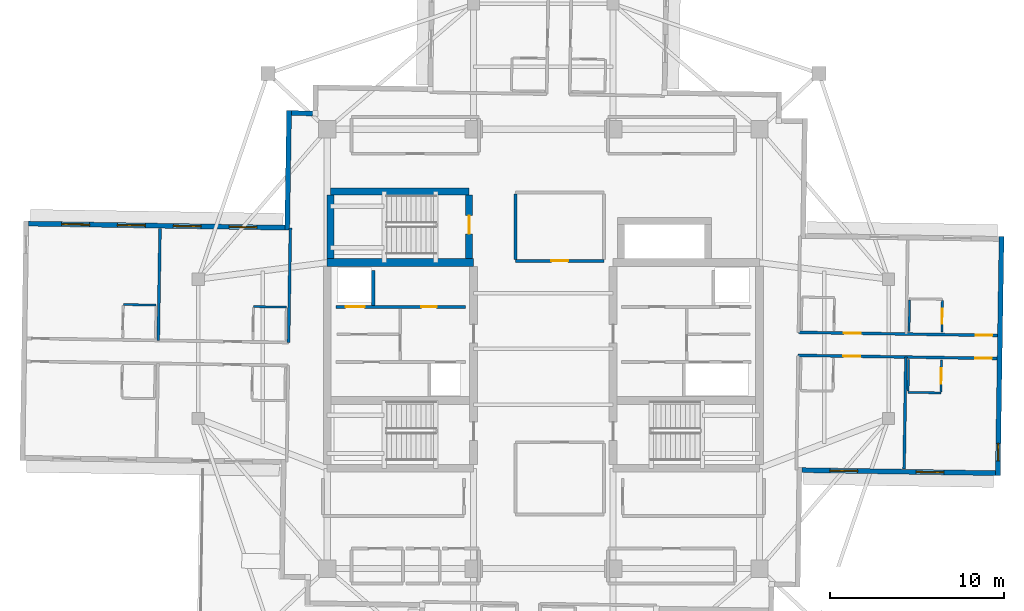
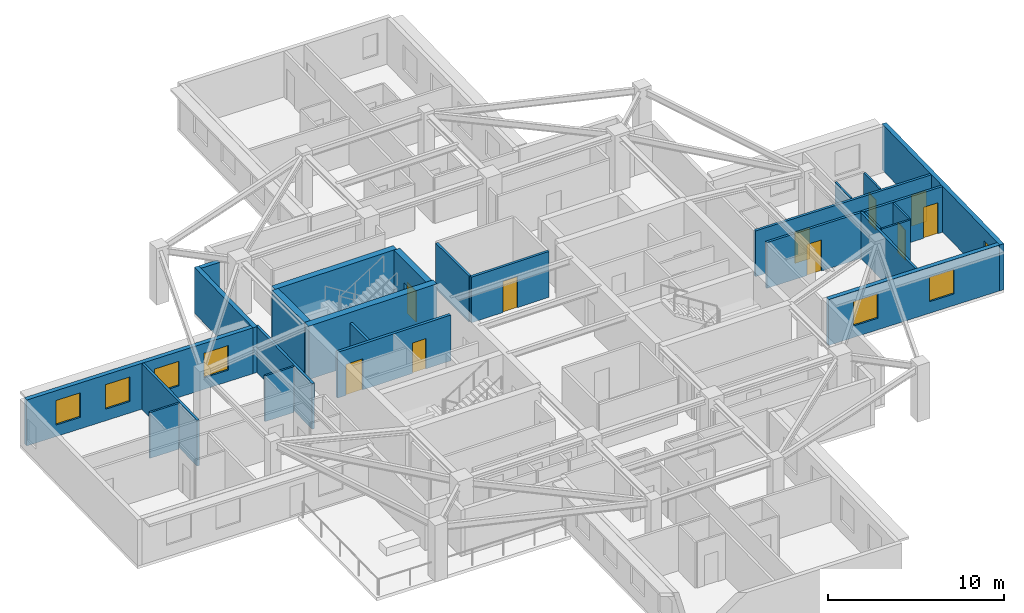
# One storey, part 6 of 12: 25 walls, 10 doors, 7 windows, 17 openings.
"""IFC4 building model written with IfcOpenShell, lengths in metres."""

from ifc_helpers import new_model, si_unit, direction, frame, frame_2d, origin, place, context, subcontext, project, spatial, rectangle, extrude, material, layer, layer_set, type_object, element, fill, save


model = new_model("IFC4")

# Units and contexts
model_context = context("Model", 3, precision=1e-05, world=origin(), true_north=direction((0.0, 1.0)))
body_context = subcontext(model_context, "Body", "Model", "MODEL_VIEW")
ifc_project = project(units=[si_unit("LENGTHUNIT", "METRE"), si_unit("AREAUNIT", "SQUARE_METRE"), si_unit("VOLUMEUNIT", "CUBIC_METRE"), si_unit("PLANEANGLEUNIT", "RADIAN"), si_unit("MASSUNIT", "GRAM", prefix="KILO")], contexts=[model_context])

# Site, building, storey
site_placement = place(None, origin())
site = spatial("IfcSite", under=ifc_project, at=site_placement, CompositionType="ELEMENT")
building_placement = place(site_placement, origin())
building = spatial("IfcBuilding", under=site, at=building_placement, Name="Qingluan Cross Belvedere", CompositionType="ELEMENT")
storey_placement = place(building_placement, frame((0.0, 0.0, 261.60009765625)))
storey = spatial("IfcBuildingStorey", under=building, at=storey_placement, Name="L65", CompositionType="ELEMENT", Elevation=261.60009765625)

# Walls
ifc_material_1 = material(Name="Concrete C50", Category="concrete")
ifc_layer_1 = layer(ifc_material_1, 0.449951171875, Name="CoreShearWall_450")
ifc_layer_set_1 = layer_set([ifc_layer_1], Name="Concrete C50")
wall_type_1 = type_object("IfcWallType", Name="CoreShearWall_450", PredefinedType="SHEAR", material=ifc_layer_set_1)
wall_1_placement = place(storey_placement, frame((-12.39990234375, 4.949951171875, 0.0), z_axis=(0.0, 0.0, 1.0), x_axis=(1.0, 0.0, 0.0)))
element("IfcWall", 1, at=wall_1_placement, inside=storey, type_object=wall_type_1, Name="Split core W shear wall L65-N", PredefinedType="SHEAR", context=body_context, shape_type="SweptSolid", body=[
    extrude(rectangle(XDim=8.39990234375, YDim=0.449951171875, at=frame_2d((4.199951171875, 0.0))), origin(), (0.0, 0.0, 1.0), 3.699951171875),
])
wall_2_placement = place(storey_placement, frame((-12.219970703125, 9.0400390625, 0.0), z_axis=(0.0, 0.0, 1.0), x_axis=(1.0, 0.0, 0.0)))
element("IfcWall", 2, at=wall_2_placement, inside=storey, type_object=wall_type_1, Name="Stair ST3 structural wall N L65", PredefinedType="SHEAR", context=body_context, shape_type="SweptSolid", body=[
    extrude(rectangle(XDim=7.9599609375, YDim=0.39990234375, at=frame_2d((3.97998046875, 0.0))), origin(), (0.0, 0.0, 1.0), 3.699951171875),
])
wall_3_placement = place(storey_placement, frame((-12.219970703125, 5.179931640625, 0.0), z_axis=(0.0, 0.0, 1.0), x_axis=(0.0, 1.0, 0.0)))
element("IfcWall", 3, at=wall_3_placement, inside=storey, type_object=wall_type_1, Name="Stair ST3 structural wall W L65", PredefinedType="SHEAR", context=body_context, shape_type="SweptSolid", body=[
    extrude(rectangle(XDim=3.655029296875, YDim=0.39990234375, at=frame_2d((1.82763671875, 0.0))), origin(), (0.0, 0.0, 1.0), 3.699951171875),
])

# Wall, opening, door
wall_4_placement = place(storey_placement, frame((-4.260009765625, 5.179931640625, 0.0), z_axis=(0.0, 0.0, 1.0), x_axis=(0.0, 1.0, 0.0)))
wall_4 = element("IfcWall", 4, at=wall_4_placement, inside=storey, type_object=wall_type_1, Name="Stair ST3 structural wall E L65", PredefinedType="SHEAR", context=body_context, shape_type="SweptSolid", body=[
    extrude(rectangle(XDim=3.655029296875, YDim=0.39990234375, at=frame_2d((1.82763671875, 0.0))), origin(), (0.0, 0.0, 1.0), 3.699951171875),
])
opening_1_placement = place(wall_4_placement, frame((1.419921875, 0.0, 0.0)))
opening_1 = element("IfcOpeningElement", 5, at=opening_1_placement, cuts=wall_4, Name="Opening FD-B11", PredefinedType="OPENING", context=body_context, shape_type="SweptSolid", body=[
    extrude(rectangle(XDim=1.050048828125, YDim=2.14990234375, at=frame_2d((0.52490234375, 1.074951171875))), frame((0.0, 0.2099609375, 0.0), z_axis=(0.0, -1.0, 0.0), x_axis=(1.0, 0.0, 0.0)), (0.0, 0.0, 1.0), 0.419921875),
])
ifc_material_2 = material(Name="Steel Class B smoke-seal fire door", Category="steel")
door_type_1 = type_object("IfcDoorType", Name="StairLobbyFireDoor_FDB", OperationType="NOTDEFINED", PredefinedType="DOOR", material=ifc_material_2)
door_1_placement = place(opening_1_placement, origin())
door_1 = element("IfcDoor", 6, at=door_1_placement, inside=storey, type_object=door_type_1, Name="Smoke-proof stair ST3 fire door L65", OperationType="SINGLE_SWING_LEFT", OverallHeight=2.14990234375, OverallWidth=1.050048828125, PredefinedType="DOOR", context=body_context, shape_type="SweptSolid", body=[
    extrude(rectangle(XDim=1.050048828125, YDim=2.14990234375, at=frame_2d((0.52490234375, 1.074951171875))), frame((0.0, 0.02490234375, 0.0), z_axis=(0.0, -1.0, 0.0), x_axis=(1.0, 0.0, 0.0)), (0.0, 0.0, 1.0), 0.050048828125),
])
fill(opening_1, door_1)

ifc_material_3 = material(Name="Gypsum plasterboard on steel stud acoustic partition", Category="steel")
ifc_layer_2 = layer(ifc_material_3, 0.159912109375, Name="CorridorPartition_160")
ifc_layer_set_2 = layer_set([ifc_layer_2], Name="Gypsum plasterboard on steel stud acoustic partition")
wall_type_2 = type_object("IfcWallType", Name="CorridorPartition_160", PredefinedType="PARTITIONING", material=ifc_layer_set_2)
wall_5_placement = place(storey_placement, frame((-1.60009765625, 5.050048828125, 0.0), z_axis=(0.0, 0.0, 1.0), x_axis=(1.0, 0.0, 0.0)))
wall_5 = element("IfcWall", 7, at=wall_5_placement, inside=storey, type_object=wall_type_2, Name="Partition L65:sky_tea_alcove:S", PredefinedType="PARTITIONING", context=body_context, shape_type="SweptSolid", body=[
    extrude(rectangle(XDim=5.080078125, YDim=0.159912109375, at=frame_2d((2.5400390625, 0.0))), origin(), (0.0, 0.0, 1.0), 3.169921875),
])
opening_2_placement = place(wall_5_placement, frame((2.06005859375, 0.0, 0.0)))
opening_2 = element("IfcOpeningElement", 8, at=opening_2_placement, cuts=wall_5, Name="Opening GD-10", PredefinedType="OPENING", context=body_context, shape_type="SweptSolid", body=[
    extrude(rectangle(XDim=0.9599609375, YDim=2.14990234375, at=frame_2d((0.47998046875, 1.074951171875))), frame((0.0, 0.08984375, 0.0), z_axis=(0.0, -1.0, 0.0), x_axis=(1.0, 0.0, 0.0)), (0.0, 0.0, 1.0), 0.179931640625),
])
ifc_material_4 = material(Name="Timber oak fire-rated acoustic guestroom door", Category="wood")
door_type_2 = type_object("IfcDoorType", Name="GuestEntryDoor_FD60", OperationType="NOTDEFINED", PredefinedType="DOOR", material=ifc_material_4)
door_2_placement = place(opening_2_placement, origin())
door_2 = element("IfcDoor", 9, at=door_2_placement, inside=storey, type_object=door_type_2, Name="Sky horizon tea salon L65 door", OperationType="SINGLE_SWING_RIGHT", OverallHeight=2.14990234375, OverallWidth=0.9599609375, PredefinedType="DOOR", context=body_context, shape_type="SweptSolid", body=[
    extrude(rectangle(XDim=0.9599609375, YDim=2.14990234375, at=frame_2d((0.47998046875, 1.074951171875))), frame((0.0, 0.02490234375, 0.0), z_axis=(0.0, -1.0, 0.0), x_axis=(1.0, 0.0, 0.0)), (0.0, 0.0, 1.0), 0.050048828125),
])
fill(opening_2, door_2)

# Wall
wall_6_placement = place(storey_placement, frame((-1.60009765625, 5.135009765625, 0.0), z_axis=(0.0, 0.0, 1.0), x_axis=(0.0, 1.0, 0.0)))
element("IfcWall", 10, at=wall_6_placement, inside=storey, type_object=wall_type_2, Name="Partition L65:sky_tea_alcove:W", PredefinedType="PARTITIONING", context=body_context, shape_type="SweptSolid", body=[
    extrude(rectangle(XDim=3.760009765625, YDim=0.159912109375, at=frame_2d((1.8798828125, 0.0))), origin(), (0.0, 0.0, 1.0), 3.169921875),
])

# Wall, openings, doors
wall_7_placement = place(storey_placement, frame((14.63671875, 0.9501953125, 0.0), z_axis=(0.0, 0.0, 1.0), x_axis=(0.999876706111, -0.015702629601, 0.0)))
wall_7 = element("IfcWall", 11, at=wall_7_placement, inside=storey, type_object=wall_type_2, Name="Partition L65:E:c0", PredefinedType="PARTITIONING", context=body_context, shape_type="SweptSolid", body=[
    extrude(rectangle(XDim=11.412109375, YDim=0.159912109375, at=frame_2d((5.7060546875, 0.0))), origin(), (0.0, 0.0, 1.0), 3.169921875),
])
opening_3_placement = place(wall_7_placement, frame((2.597900390625, 0.0, 0.0)))
opening_3 = element("IfcOpeningElement", 12, at=opening_3_placement, cuts=wall_7, Name="Opening GD-10", PredefinedType="OPENING", context=body_context, shape_type="SweptSolid", body=[
    extrude(rectangle(XDim=0.9599609375, YDim=2.14990234375, at=frame_2d((0.47998046875, 1.074951171875))), frame((0.0, 0.08984375, 0.0), z_axis=(0.0, -1.0, 0.0), x_axis=(1.0, 0.0, 0.0)), (0.0, 0.0, 1.0), 0.179931640625),
])
opening_4_placement = place(wall_7_placement, frame((10.159912109375, 0.0, 0.0)))
opening_4 = element("IfcOpeningElement", 13, at=opening_4_placement, cuts=wall_7, Name="Opening GD-10", PredefinedType="OPENING", context=body_context, shape_type="SweptSolid", body=[
    extrude(rectangle(XDim=0.9599609375, YDim=2.14990234375, at=frame_2d((0.47998046875, 1.074951171875))), frame((0.0, 0.08984375, 0.0), z_axis=(0.0, -1.0, 0.0), x_axis=(1.0, 0.0, 0.0)), (0.0, 0.0, 1.0), 0.179931640625),
])
door_3_placement = place(opening_3_placement, origin())
door_3 = element("IfcDoor", 14, at=door_3_placement, inside=storey, type_object=door_type_2, Name="Guest entry fire door 6501", OperationType="SINGLE_SWING_RIGHT", OverallHeight=2.14990234375, OverallWidth=0.9599609375, PredefinedType="DOOR", context=body_context, shape_type="SweptSolid", body=[
    extrude(rectangle(XDim=0.9599609375, YDim=2.14990234375, at=frame_2d((0.47998046875, 1.074951171875))), frame((0.0, 0.02490234375, 0.0), z_axis=(0.0, -1.0, 0.0), x_axis=(1.0, 0.0, 0.0)), (0.0, 0.0, 1.0), 0.050048828125),
])
fill(opening_3, door_3)
door_4_placement = place(opening_4_placement, origin())
door_4 = element("IfcDoor", 15, at=door_4_placement, inside=storey, type_object=door_type_2, Name="Guest entry fire door 6502", OperationType="SINGLE_SWING_RIGHT", OverallHeight=2.14990234375, OverallWidth=0.9599609375, PredefinedType="DOOR", context=body_context, shape_type="SweptSolid", body=[
    extrude(rectangle(XDim=0.9599609375, YDim=2.14990234375, at=frame_2d((0.47998046875, 1.074951171875))), frame((0.0, 0.02490234375, 0.0), z_axis=(0.0, -1.0, 0.0), x_axis=(1.0, 0.0, 0.0)), (0.0, 0.0, 1.0), 0.050048828125),
])
fill(opening_4, door_4)

wall_8_placement = place(storey_placement, frame((14.615966796875, -0.36962890625, 0.0), z_axis=(0.0, 0.0, 1.0), x_axis=(0.999876706111, -0.015702629601, 0.0)))
wall_8 = element("IfcWall", 16, at=wall_8_placement, inside=storey, type_object=wall_type_2, Name="Partition L65:E:c1", PredefinedType="PARTITIONING", context=body_context, shape_type="SweptSolid", body=[
    extrude(rectangle(XDim=11.412109375, YDim=0.159912109375, at=frame_2d((5.7060546875, 0.0))), origin(), (0.0, 0.0, 1.0), 3.169921875),
])
opening_5_placement = place(wall_8_placement, frame((2.597900390625, 0.0, 0.0)))
opening_5 = element("IfcOpeningElement", 17, at=opening_5_placement, cuts=wall_8, Name="Opening GD-10", PredefinedType="OPENING", context=body_context, shape_type="SweptSolid", body=[
    extrude(rectangle(XDim=0.9599609375, YDim=2.14990234375, at=frame_2d((0.47998046875, 1.074951171875))), frame((0.0, 0.08984375, 0.0), z_axis=(0.0, -1.0, 0.0), x_axis=(1.0, 0.0, 0.0)), (0.0, 0.0, 1.0), 0.179931640625),
])
opening_6_placement = place(wall_8_placement, frame((10.159912109375, 0.0, 0.0)))
opening_6 = element("IfcOpeningElement", 18, at=opening_6_placement, cuts=wall_8, Name="Opening GD-10", PredefinedType="OPENING", context=body_context, shape_type="SweptSolid", body=[
    extrude(rectangle(XDim=0.9599609375, YDim=2.14990234375, at=frame_2d((0.47998046875, 1.074951171875))), frame((0.0, 0.08984375, 0.0), z_axis=(0.0, -1.0, 0.0), x_axis=(1.0, 0.0, 0.0)), (0.0, 0.0, 1.0), 0.179931640625),
])
door_5_placement = place(opening_5_placement, origin())
door_5 = element("IfcDoor", 19, at=door_5_placement, inside=storey, type_object=door_type_2, Name="Guest entry fire door 6503", OperationType="SINGLE_SWING_RIGHT", OverallHeight=2.14990234375, OverallWidth=0.9599609375, PredefinedType="DOOR", context=body_context, shape_type="SweptSolid", body=[
    extrude(rectangle(XDim=0.9599609375, YDim=2.14990234375, at=frame_2d((0.47998046875, 1.074951171875))), frame((0.0, 0.02490234375, 0.0), z_axis=(0.0, -1.0, 0.0), x_axis=(1.0, 0.0, 0.0)), (0.0, 0.0, 1.0), 0.050048828125),
])
fill(opening_5, door_5)
door_6_placement = place(opening_6_placement, origin())
door_6 = element("IfcDoor", 20, at=door_6_placement, inside=storey, type_object=door_type_2, Name="Guest entry fire door 6504", OperationType="SINGLE_SWING_RIGHT", OverallHeight=2.14990234375, OverallWidth=0.9599609375, PredefinedType="DOOR", context=body_context, shape_type="SweptSolid", body=[
    extrude(rectangle(XDim=0.9599609375, YDim=2.14990234375, at=frame_2d((0.47998046875, 1.074951171875))), frame((0.0, 0.02490234375, 0.0), z_axis=(0.0, -1.0, 0.0), x_axis=(1.0, 0.0, 0.0)), (0.0, 0.0, 1.0), 0.050048828125),
])
fill(opening_6, door_6)

# Walls
wall_9_placement = place(storey_placement, frame((20.795166015625, -0.466796875, 0.0), z_axis=(0.0, 0.0, 1.0), x_axis=(-0.015714405882, -0.9998765211, 0.0)))
element("IfcWall", 21, at=wall_9_placement, inside=storey, type_object=wall_type_2, Name="Partition L65:E:d1_0", PredefinedType="PARTITIONING", context=body_context, shape_type="SweptSolid", body=[
    extrude(rectangle(XDim=6.431884765625, YDim=0.159912109375, at=frame_2d((3.2158203125, 0.0))), origin(), (0.0, 0.0, 1.0), 3.169921875),
])
wall_10_placement = place(storey_placement, frame((-14.615966796875, 0.36962890625, 0.0), z_axis=(0.0, 0.0, 1.0), x_axis=(0.015694964287, 0.999876826462, 0.0)))
element("IfcWall", 22, at=wall_10_placement, inside=storey, type_object=wall_type_2, Name="Partition L65:W:s0", PredefinedType="PARTITIONING", context=body_context, shape_type="SweptSolid", body=[
    extrude(rectangle(XDim=6.579833984375, YDim=0.159912109375, at=frame_2d((3.2900390625, 0.0))), origin(), (0.0, 0.0, 1.0), 3.169921875),
])
wall_11_placement = place(storey_placement, frame((-22.092041015625, 0.487060546875, 0.0), z_axis=(0.0, 0.0, 1.0), x_axis=(0.015714405882, 0.9998765211, 0.0)))
element("IfcWall", 23, at=wall_11_placement, inside=storey, type_object=wall_type_2, Name="Partition L65:W:d0_0", PredefinedType="PARTITIONING", context=body_context, shape_type="SweptSolid", body=[
    extrude(rectangle(XDim=6.431884765625, YDim=0.159912109375, at=frame_2d((3.2158203125, 0.0))), origin(), (0.0, 0.0, 1.0), 3.169921875),
])

# Wall, opening, door
ifc_material_5 = material(Name="Moisture-resistant gypsum board lining")
ifc_layer_3 = layer(ifc_material_5, 0.1201171875, Name="EnsuiteWetPartition_120")
ifc_layer_set_3 = layer_set([ifc_layer_3], Name="Moisture-resistant gypsum board lining")
wall_type_3 = type_object("IfcWallType", Name="EnsuiteWetPartition_120", PredefinedType="PARTITIONING", material=ifc_layer_set_3)
wall_12_placement = place(storey_placement, frame((22.85791015625, 0.961181640625, 0.0), z_axis=(0.0, 0.0, 1.0), x_axis=(0.015694337248, 0.999876836305, 0.0)))
wall_12 = element("IfcWall", 24, at=wall_12_placement, inside=storey, type_object=wall_type_3, Name="Partition L65:E:bs0_1", PredefinedType="PARTITIONING", context=body_context, shape_type="SweptSolid", body=[
    extrude(rectangle(XDim=1.820068359375, YDim=0.1201171875, at=frame_2d((0.91015625, 0.0))), origin(), (0.0, 0.0, 1.0), 3.169921875),
])
opening_7_placement = place(wall_12_placement, frame((0.469970703125, 0.0, 0.0)))
opening_7 = element("IfcOpeningElement", 25, at=opening_7_placement, cuts=wall_12, Name="Opening BD-09", PredefinedType="OPENING", context=body_context, shape_type="SweptSolid", body=[
    extrude(rectangle(XDim=0.8798828125, YDim=2.10009765625, at=frame_2d((0.43994140625, 1.050048828125))), frame((0.0, 0.070068359375, 0.0), z_axis=(0.0, -1.0, 0.0), x_axis=(1.0, 0.0, 0.0)), (0.0, 0.0, 1.0), 0.14013671875),
])
ifc_material_6 = material(Name="Moisture-sealed timber en-suite door", Category="wood")
door_type_3 = type_object("IfcDoorType", Name="BathroomDoor_880", OperationType="NOTDEFINED", PredefinedType="DOOR", material=ifc_material_6)
door_7_placement = place(opening_7_placement, origin())
door_7 = element("IfcDoor", 26, at=door_7_placement, inside=storey, type_object=door_type_3, Name="Bathroom door 6502", OperationType="SINGLE_SWING_LEFT", OverallHeight=2.10009765625, OverallWidth=0.8798828125, PredefinedType="DOOR", context=body_context, shape_type="SweptSolid", body=[
    extrude(rectangle(XDim=0.8798828125, YDim=2.10009765625, at=frame_2d((0.43994140625, 1.050048828125))), frame((0.0, 0.02490234375, 0.0), z_axis=(0.0, -1.0, 0.0), x_axis=(1.0, 0.0, 0.0)), (0.0, 0.0, 1.0), 0.050048828125),
])
fill(opening_7, door_7)

# Wall
wall_13_placement = place(storey_placement, frame((20.97802734375, 0.990478515625, 0.0), z_axis=(0.0, 0.0, 1.0), x_axis=(0.015694337248, 0.999876836305, 0.0)))
element("IfcWall", 27, at=wall_13_placement, inside=storey, type_object=wall_type_3, Name="Partition L65:E:bw0_1", PredefinedType="PARTITIONING", context=body_context, shape_type="SweptSolid", body=[
    extrude(rectangle(XDim=1.820068359375, YDim=0.1201171875, at=frame_2d((0.91015625, 0.0))), origin(), (0.0, 0.0, 1.0), 3.169921875),
])

# Wall, opening, door
wall_14_placement = place(storey_placement, frame((22.80419921875, -2.45849609375, 0.0), z_axis=(0.0, 0.0, 1.0), x_axis=(0.015694337248, 0.999876836305, 0.0)))
wall_14 = element("IfcWall", 28, at=wall_14_placement, inside=storey, type_object=wall_type_3, Name="Partition L65:E:bs1_1", PredefinedType="PARTITIONING", context=body_context, shape_type="SweptSolid", body=[
    extrude(rectangle(XDim=1.820068359375, YDim=0.1201171875, at=frame_2d((0.91015625, 0.0))), origin(), (0.0, 0.0, 1.0), 3.169921875),
])
opening_8_placement = place(wall_14_placement, frame((0.469970703125, 0.0, 0.0)))
opening_8 = element("IfcOpeningElement", 29, at=opening_8_placement, cuts=wall_14, Name="Opening BD-09", PredefinedType="OPENING", context=body_context, shape_type="SweptSolid", body=[
    extrude(rectangle(XDim=0.8798828125, YDim=2.10009765625, at=frame_2d((0.43994140625, 1.050048828125))), frame((0.0, 0.070068359375, 0.0), z_axis=(0.0, -1.0, 0.0), x_axis=(1.0, 0.0, 0.0)), (0.0, 0.0, 1.0), 0.14013671875),
])
door_8_placement = place(opening_8_placement, origin())
door_8 = element("IfcDoor", 30, at=door_8_placement, inside=storey, type_object=door_type_3, Name="Bathroom door 6504", OperationType="SINGLE_SWING_LEFT", OverallHeight=2.10009765625, OverallWidth=0.8798828125, PredefinedType="DOOR", context=body_context, shape_type="SweptSolid", body=[
    extrude(rectangle(XDim=0.8798828125, YDim=2.10009765625, at=frame_2d((0.43994140625, 1.050048828125))), frame((0.0, 0.02490234375, 0.0), z_axis=(0.0, -1.0, 0.0), x_axis=(1.0, 0.0, 0.0)), (0.0, 0.0, 1.0), 0.050048828125),
])
fill(opening_8, door_8)

# Walls
wall_15_placement = place(storey_placement, frame((20.92431640625, -2.428955078125, 0.0), z_axis=(0.0, 0.0, 1.0), x_axis=(0.015694337248, 0.999876836305, 0.0)))
element("IfcWall", 31, at=wall_15_placement, inside=storey, type_object=wall_type_3, Name="Partition L65:E:bw1_1", PredefinedType="PARTITIONING", context=body_context, shape_type="SweptSolid", body=[
    extrude(rectangle(XDim=1.820068359375, YDim=0.1201171875, at=frame_2d((0.91015625, 0.0))), origin(), (0.0, 0.0, 1.0), 3.169921875),
])
wall_16_placement = place(storey_placement, frame((20.92333984375, -2.493896484375, 0.0), z_axis=(0.0, 0.0, 1.0), x_axis=(0.999876553475, -0.01571234584, 0.0)))
element("IfcWall", 32, at=wall_16_placement, inside=storey, type_object=wall_type_3, Name="Partition L65:E:bc1_1", PredefinedType="PARTITIONING", context=body_context, shape_type="SweptSolid", body=[
    extrude(rectangle(XDim=1.880126953125, YDim=0.1201171875, at=frame_2d((0.93994140625, 0.0))), origin(), (0.0, 0.0, 1.0), 3.169921875),
])
wall_17_placement = place(storey_placement, frame((-14.744140625, 2.39697265625, 0.0), z_axis=(0.0, 0.0, 1.0), x_axis=(-0.99987652141, 0.015714386166, 0.0)))
element("IfcWall", 33, at=wall_17_placement, inside=storey, type_object=wall_type_3, Name="Partition L65:W:bn0_0", PredefinedType="PARTITIONING", context=body_context, shape_type="SweptSolid", body=[
    extrude(rectangle(XDim=1.8798828125, YDim=0.1201171875, at=frame_2d((0.93994140625, 0.0))), origin(), (0.0, 0.0, 1.0), 3.169921875),
])
wall_18_placement = place(storey_placement, frame((-22.22021484375, 2.514404296875, 0.0), z_axis=(0.0, 0.0, 1.0), x_axis=(-0.999876553475, 0.01571234584, 0.0)))
element("IfcWall", 34, at=wall_18_placement, inside=storey, type_object=wall_type_3, Name="Partition L65:W:bn0_1", PredefinedType="PARTITIONING", context=body_context, shape_type="SweptSolid", body=[
    extrude(rectangle(XDim=1.880126953125, YDim=0.1201171875, at=frame_2d((0.93994140625, 0.0))), origin(), (0.0, 0.0, 1.0), 3.169921875),
])

# Wall, openings, windows
ifc_material_7 = material(Name="Precast concrete C45", Category="concrete")
ifc_layer_4 = layer(ifc_material_7, 0.280029296875, Name="PrecastFacadeWall_280")
ifc_layer_set_4 = layer_set([ifc_layer_4], Name="Precast concrete C45")
wall_type_4 = type_object("IfcWallType", Name="PrecastFacadeWall_280", PredefinedType="STANDARD", material=ifc_layer_set_4)
wall_19_placement = place(storey_placement, frame((14.83251953125, -6.953857421875, 0.0), z_axis=(0.0, 0.0, 1.0), x_axis=(0.999876681786, -0.015704178416, 0.0)))
wall_19 = element("IfcWall", 35, at=wall_19_placement, inside=storey, type_object=wall_type_4, Name="Facade wall L65-EA", PredefinedType="STANDARD", context=body_context, shape_type="SweptSolid", body=[
    extrude(rectangle(XDim=11.10009765625, YDim=0.280029296875, at=frame_2d((5.550048828125, 0.0))), origin(), (0.0, 0.0, 1.0), 3.179931640625),
])
opening_9_placement = place(wall_19_placement, frame((1.60009765625, 0.0, 0.800048828125)))
opening_9 = element("IfcOpeningElement", 36, at=opening_9_placement, cuts=wall_19, Name="Opening W-04", PredefinedType="OPENING", context=body_context, shape_type="SweptSolid", body=[
    extrude(rectangle(XDim=1.60009765625, YDim=1.699951171875, at=frame_2d((0.800048828125, 0.85009765625))), frame((0.0, 0.14990234375, 0.0), z_axis=(0.0, -1.0, 0.0), x_axis=(1.0, 0.0, 0.0)), (0.0, 0.0, 1.0), 0.300048828125),
])
opening_10_placement = place(wall_19_placement, frame((6.550048828125, 0.0, 0.800048828125)))
opening_10 = element("IfcOpeningElement", 37, at=opening_10_placement, cuts=wall_19, Name="Opening W-04", PredefinedType="OPENING", context=body_context, shape_type="SweptSolid", body=[
    extrude(rectangle(XDim=1.60009765625, YDim=1.699951171875, at=frame_2d((0.800048828125, 0.85009765625))), frame((0.0, 0.14990234375, 0.0), z_axis=(0.0, -1.0, 0.0), x_axis=(1.0, 0.0, 0.0)), (0.0, 0.0, 1.0), 0.300048828125),
])
ifc_material_8 = material(Name="Thermally broken triple Low-E glass in aluminium frame", Category="aluminium")
window_type_1 = type_object("IfcWindowType", Name="SuiteCornerWin_1600x1700", PartitioningType="SINGLE_PANEL", PredefinedType="WINDOW", material=ifc_material_8)
window_1_placement = place(opening_9_placement, origin())
window_1 = element("IfcWindow", 38, at=window_1_placement, inside=storey, type_object=window_type_1, Name="Ribbon window L65-EA-1", OverallHeight=1.699951171875, OverallWidth=1.60009765625, PartitioningType="SINGLE_PANEL", PredefinedType="WINDOW", context=body_context, shape_type="SweptSolid", body=[
    extrude(rectangle(XDim=1.60009765625, YDim=1.699951171875, at=frame_2d((0.800048828125, 0.85009765625))), frame((0.0, 0.030029296875, 0.0), z_axis=(0.0, -1.0, 0.0), x_axis=(1.0, 0.0, 0.0)), (0.0, 0.0, 1.0), 0.06005859375),
])
fill(opening_9, window_1)
window_2_placement = place(opening_10_placement, origin())
window_2 = element("IfcWindow", 39, at=window_2_placement, inside=storey, type_object=window_type_1, Name="Ribbon window L65-EA-2", OverallHeight=1.699951171875, OverallWidth=1.60009765625, PartitioningType="SINGLE_PANEL", PredefinedType="WINDOW", context=body_context, shape_type="SweptSolid", body=[
    extrude(rectangle(XDim=1.60009765625, YDim=1.699951171875, at=frame_2d((0.800048828125, 0.85009765625))), frame((0.0, 0.030029296875, 0.0), z_axis=(0.0, -1.0, 0.0), x_axis=(1.0, 0.0, 0.0)), (0.0, 0.0, 1.0), 0.06005859375),
])
fill(opening_10, window_2)

# Wall, opening, window
wall_20_placement = place(storey_placement, frame((26.069091796875, -7.2705078125, 0.0), z_axis=(0.0, 0.0, 1.0), x_axis=(0.015694530564, 0.99987683327, 0.0)))
wall_20 = element("IfcWall", 40, at=wall_20_placement, inside=storey, type_object=wall_type_4, Name="Arm tip precast facade wall L65-E", PredefinedType="STANDARD", context=body_context, shape_type="SweptSolid", body=[
    extrude(rectangle(XDim=13.72021484375, YDim=0.280029296875, at=frame_2d((6.860107421875, 0.0))), origin(), (0.0, 0.0, 1.0), 3.179931640625),
])
opening_11_placement = place(wall_20_placement, frame((0.85009765625, 0.0, 0.85009765625)))
opening_11 = element("IfcOpeningElement", 41, at=opening_11_placement, cuts=wall_20, Name="Opening W-03", PredefinedType="OPENING", context=body_context, shape_type="SweptSolid", body=[
    extrude(rectangle(XDim=1.0, YDim=1.5, at=frame_2d((0.5, 0.75))), frame((0.0, 0.14990234375, 0.0), z_axis=(0.0, -1.0, 0.0), x_axis=(1.0, 0.0, 0.0)), (0.0, 0.0, 1.0), 0.300048828125),
])
ifc_material_9 = material(Name="Thermally broken triple Low-E glass in aluminium frame", Category="aluminium")
window_type_2 = type_object("IfcWindowType", Name="TriApexWin_1000x1500", PartitioningType="SINGLE_PANEL", PredefinedType="WINDOW", material=ifc_material_9)
window_3_placement = place(opening_11_placement, origin())
window_3 = element("IfcWindow", 42, at=window_3_placement, inside=storey, type_object=window_type_2, Name="Arm tip triangular window L65-E", OverallHeight=1.5, OverallWidth=1.0, PartitioningType="SINGLE_PANEL", PredefinedType="WINDOW", context=body_context, shape_type="SweptSolid", body=[
    extrude(rectangle(XDim=1.0, YDim=1.5, at=frame_2d((0.5, 0.75))), frame((0.0, 0.030029296875, 0.0), z_axis=(0.0, -1.0, 0.0), x_axis=(1.0, 0.0, 0.0)), (0.0, 0.0, 1.0), 0.06005859375),
])
fill(opening_11, window_3)

# Wall, openings, windows
wall_21_placement = place(storey_placement, frame((-14.83251953125, 6.953857421875, 0.0), z_axis=(0.0, 0.0, 1.0), x_axis=(-0.999876569875, 0.015711302158, 0.0)))
wall_21 = element("IfcWall", 43, at=wall_21_placement, inside=storey, type_object=wall_type_4, Name="Facade wall L65-WA", PredefinedType="STANDARD", context=body_context, shape_type="SweptSolid", body=[
    extrude(rectangle(XDim=14.699951171875, YDim=0.280029296875, at=frame_2d((7.35009765625, 0.0))), origin(), (0.0, 0.0, 1.0), 3.179931640625),
])
opening_12_placement = place(wall_21_placement, frame((1.60009765625, 0.0, 0.800048828125)))
opening_12 = element("IfcOpeningElement", 44, at=opening_12_placement, cuts=wall_21, Name="Opening W-04", PredefinedType="OPENING", context=body_context, shape_type="SweptSolid", body=[
    extrude(rectangle(XDim=1.60009765625, YDim=1.699951171875, at=frame_2d((0.800048828125, 0.85009765625))), frame((0.0, 0.14990234375, 0.0), z_axis=(0.0, -1.0, 0.0), x_axis=(1.0, 0.0, 0.0)), (0.0, 0.0, 1.0), 0.300048828125),
])
opening_13_placement = place(wall_21_placement, frame((4.800048828125, 0.0, 0.800048828125)))
opening_13 = element("IfcOpeningElement", 45, at=opening_13_placement, cuts=wall_21, Name="Opening W-04", PredefinedType="OPENING", context=body_context, shape_type="SweptSolid", body=[
    extrude(rectangle(XDim=1.60009765625, YDim=1.699951171875, at=frame_2d((0.800048828125, 0.85009765625))), frame((0.0, 0.14990234375, 0.0), z_axis=(0.0, -1.0, 0.0), x_axis=(1.0, 0.0, 0.0)), (0.0, 0.0, 1.0), 0.300048828125),
])
opening_14_placement = place(wall_21_placement, frame((8.0, 0.0, 0.800048828125)))
opening_14 = element("IfcOpeningElement", 46, at=opening_14_placement, cuts=wall_21, Name="Opening W-04", PredefinedType="OPENING", context=body_context, shape_type="SweptSolid", body=[
    extrude(rectangle(XDim=1.60009765625, YDim=1.699951171875, at=frame_2d((0.800048828125, 0.85009765625))), frame((0.0, 0.14990234375, 0.0), z_axis=(0.0, -1.0, 0.0), x_axis=(1.0, 0.0, 0.0)), (0.0, 0.0, 1.0), 0.300048828125),
])
opening_15_placement = place(wall_21_placement, frame((11.199951171875, 0.0, 0.800048828125)))
opening_15 = element("IfcOpeningElement", 47, at=opening_15_placement, cuts=wall_21, Name="Opening W-04", PredefinedType="OPENING", context=body_context, shape_type="SweptSolid", body=[
    extrude(rectangle(XDim=1.60009765625, YDim=1.699951171875, at=frame_2d((0.800048828125, 0.85009765625))), frame((0.0, 0.14990234375, 0.0), z_axis=(0.0, -1.0, 0.0), x_axis=(1.0, 0.0, 0.0)), (0.0, 0.0, 1.0), 0.300048828125),
])
window_4_placement = place(opening_12_placement, origin())
window_4 = element("IfcWindow", 48, at=window_4_placement, inside=storey, type_object=window_type_1, Name="Ribbon window L65-WA-1", OverallHeight=1.699951171875, OverallWidth=1.60009765625, PartitioningType="SINGLE_PANEL", PredefinedType="WINDOW", context=body_context, shape_type="SweptSolid", body=[
    extrude(rectangle(XDim=1.60009765625, YDim=1.699951171875, at=frame_2d((0.800048828125, 0.85009765625))), frame((0.0, 0.030029296875, 0.0), z_axis=(0.0, -1.0, 0.0), x_axis=(1.0, 0.0, 0.0)), (0.0, 0.0, 1.0), 0.06005859375),
])
fill(opening_12, window_4)
window_5_placement = place(opening_13_placement, origin())
window_5 = element("IfcWindow", 49, at=window_5_placement, inside=storey, type_object=window_type_1, Name="Ribbon window L65-WA-2", OverallHeight=1.699951171875, OverallWidth=1.60009765625, PartitioningType="SINGLE_PANEL", PredefinedType="WINDOW", context=body_context, shape_type="SweptSolid", body=[
    extrude(rectangle(XDim=1.60009765625, YDim=1.699951171875, at=frame_2d((0.800048828125, 0.85009765625))), frame((0.0, 0.030029296875, 0.0), z_axis=(0.0, -1.0, 0.0), x_axis=(1.0, 0.0, 0.0)), (0.0, 0.0, 1.0), 0.06005859375),
])
fill(opening_13, window_5)
window_6_placement = place(opening_14_placement, origin())
window_6 = element("IfcWindow", 50, at=window_6_placement, inside=storey, type_object=window_type_1, Name="Ribbon window L65-WA-3", OverallHeight=1.699951171875, OverallWidth=1.60009765625, PartitioningType="SINGLE_PANEL", PredefinedType="WINDOW", context=body_context, shape_type="SweptSolid", body=[
    extrude(rectangle(XDim=1.60009765625, YDim=1.699951171875, at=frame_2d((0.800048828125, 0.85009765625))), frame((0.0, 0.030029296875, 0.0), z_axis=(0.0, -1.0, 0.0), x_axis=(1.0, 0.0, 0.0)), (0.0, 0.0, 1.0), 0.06005859375),
])
fill(opening_14, window_6)
window_7_placement = place(opening_15_placement, origin())
window_7 = element("IfcWindow", 51, at=window_7_placement, inside=storey, type_object=window_type_1, Name="Ribbon window L65-WA-4", OverallHeight=1.699951171875, OverallWidth=1.60009765625, PartitioningType="SINGLE_PANEL", PredefinedType="WINDOW", context=body_context, shape_type="SweptSolid", body=[
    extrude(rectangle(XDim=1.60009765625, YDim=1.699951171875, at=frame_2d((0.800048828125, 0.85009765625))), frame((0.0, 0.030029296875, 0.0), z_axis=(0.0, -1.0, 0.0), x_axis=(1.0, 0.0, 0.0)), (0.0, 0.0, 1.0), 0.06005859375),
])
fill(opening_15, window_7)

# Walls
wall_22_placement = place(storey_placement, frame((-14.69482421875, 6.811767578125, 0.0), z_axis=(0.0, 0.0, 1.0), x_axis=(0.015694809807, 0.999876828887, 0.0)))
element("IfcWall", 52, at=wall_22_placement, inside=storey, type_object=wall_type_4, Name="Corner wall L65-NW1", PredefinedType="STANDARD", context=body_context, shape_type="SweptSolid", body=[
    extrude(rectangle(XDim=6.85986328125, YDim=0.280029296875, at=frame_2d((3.429931640625, 0.0))), origin(), (0.0, 0.0, 1.0), 3.179931640625),
])
wall_23_placement = place(storey_placement, frame((-14.44921875, 13.528564453125, 0.0), z_axis=(0.0, 0.0, 1.0), x_axis=(0.999878147354, -0.015610587569, 0.0)))
element("IfcWall", 53, at=wall_23_placement, inside=storey, type_object=wall_type_4, Name="Corner wall L65-NW2", PredefinedType="STANDARD", context=body_context, shape_type="SweptSolid", body=[
    extrude(rectangle(XDim=1.219970703125, YDim=0.280029296875, at=frame_2d((0.60986328125, 0.0))), origin(), (0.0, 0.0, 1.0), 3.179931640625),
])

# Wall, openings, doors
ifc_material_10 = material(Name="Concrete C40", Category="concrete")
ifc_layer_5 = layer(ifc_material_10, 0.219970703125, Name="ShaftEnclosureWall_250")
ifc_layer_set_5 = layer_set([ifc_layer_5], Name="Concrete C40")
wall_type_5 = type_object("IfcWallType", Name="ShaftEnclosureWall_250", PredefinedType="SOLIDWALL", material=ifc_layer_set_5)
wall_24_placement = place(storey_placement, frame((-11.89990234375, 2.409912109375, 0.0), z_axis=(0.0, 0.0, 1.0), x_axis=(1.0, 0.0, 0.0)))
wall_24 = element("IfcWall", 54, at=wall_24_placement, inside=storey, type_object=wall_type_5, Name="Core-W north hoistway wall L65", PredefinedType="SOLIDWALL", context=body_context, shape_type="SweptSolid", body=[
    extrude(rectangle(XDim=7.419921875, YDim=0.179931640625, at=frame_2d((3.7099609375, 0.0))), origin(), (0.0, 0.0, 1.0), 3.169921875),
])
opening_16_placement = place(wall_24_placement, frame((0.550048828125, 0.0, 0.0)))
opening_16 = element("IfcOpeningElement", 55, at=opening_16_placement, cuts=wall_24, Name="Opening LD-11", PredefinedType="OPENING", context=body_context, shape_type="SweptSolid", body=[
    extrude(rectangle(XDim=1.10009765625, YDim=2.14990234375, at=frame_2d((0.550048828125, 1.074951171875))), frame((0.0, 0.099853515625, 0.0), z_axis=(0.0, -1.0, 0.0), x_axis=(1.0, 0.0, 0.0)), (0.0, 0.0, 1.0), 0.199951171875),
])
opening_17_placement = place(wall_24_placement, frame((4.89990234375, 0.0, 0.0)))
opening_17 = element("IfcOpeningElement", 56, at=opening_17_placement, cuts=wall_24, Name="Opening FD-B10", PredefinedType="OPENING", context=body_context, shape_type="SweptSolid", body=[
    extrude(rectangle(XDim=0.8798828125, YDim=2.10009765625, at=frame_2d((0.43994140625, 1.050048828125))), frame((0.0, 0.099853515625, 0.0), z_axis=(0.0, -1.0, 0.0), x_axis=(1.0, 0.0, 0.0)), (0.0, 0.0, 1.0), 0.199951171875),
])
ifc_material_11 = material(Name="Brushed stainless steel centre-opening lift landing door", Category="steel")
door_type_4 = type_object("IfcDoorType", Name="LiftLandingSlidingDoor_1100", OperationType="DOUBLE_DOOR_SLIDING", PredefinedType="DOOR", material=ifc_material_11)
door_9_placement = place(opening_16_placement, origin())
door_9 = element("IfcDoor", 57, at=door_9_placement, inside=storey, type_object=door_type_4, Name="Lift landing sliding door FL1 L65", OperationType="DOUBLE_DOOR_SLIDING", OverallHeight=2.14990234375, OverallWidth=1.10009765625, PredefinedType="DOOR", context=body_context, shape_type="SweptSolid", body=[
    extrude(rectangle(XDim=1.10009765625, YDim=2.14990234375, at=frame_2d((0.550048828125, 1.074951171875))), frame((0.0, 0.02490234375, 0.0), z_axis=(0.0, -1.0, 0.0), x_axis=(1.0, 0.0, 0.0)), (0.0, 0.0, 1.0), 0.050048828125),
])
fill(opening_16, door_9)
ifc_material_12 = material(Name="Steel Class B service fire door", Category="steel")
door_type_5 = type_object("IfcDoorType", Name="RiserServiceFireDoor_FDB", OperationType="NOTDEFINED", PredefinedType="DOOR", material=ifc_material_12)
door_10_placement = place(opening_17_placement, origin())
door_10 = element("IfcDoor", 58, at=door_10_placement, inside=storey, type_object=door_type_5, Name="Housekeeping supply room door W L65", OperationType="SINGLE_SWING_RIGHT", OverallHeight=2.10009765625, OverallWidth=0.8798828125, PredefinedType="DOOR", context=body_context, shape_type="SweptSolid", body=[
    extrude(rectangle(XDim=0.8798828125, YDim=2.10009765625, at=frame_2d((0.43994140625, 1.050048828125))), frame((0.0, 0.02490234375, 0.0), z_axis=(0.0, -1.0, 0.0), x_axis=(1.0, 0.0, 0.0)), (0.0, 0.0, 1.0), 0.050048828125),
])
fill(opening_17, door_10)

# Wall
wall_25_placement = place(storey_placement, frame((-9.760009765625, 2.5, 0.0), z_axis=(0.0, 0.0, 1.0), x_axis=(0.0, 1.0, 0.0)))
element("IfcWall", 59, at=wall_25_placement, inside=storey, type_object=wall_type_5, Name="Hoistway enclosure divider FL1E L65", PredefinedType="SOLIDWALL", context=body_context, shape_type="SweptSolid", body=[
    extrude(rectangle(XDim=1.989990234375, YDim=0.179931640625, at=frame_2d((0.9951171875, 0.0))), origin(), (0.0, 0.0, 1.0), 3.169921875),
])

save(model, "model.ifc")
